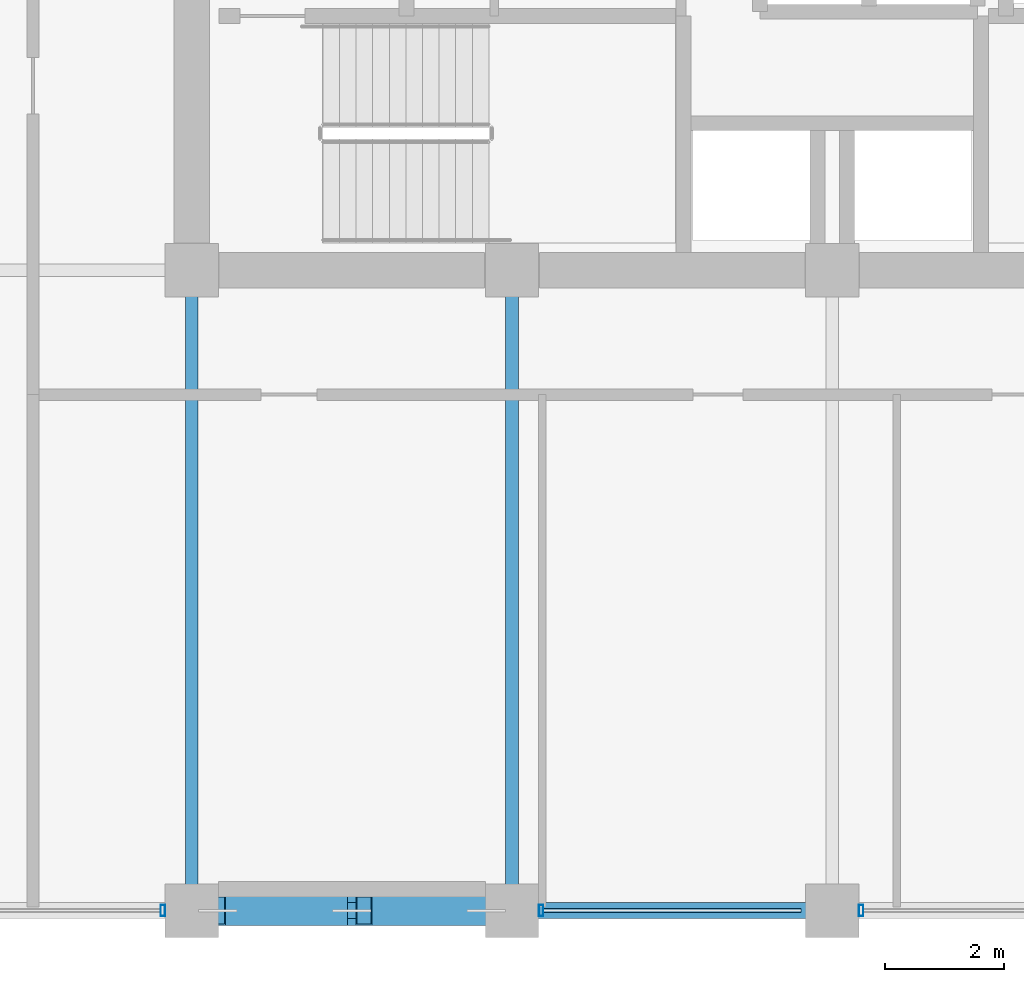
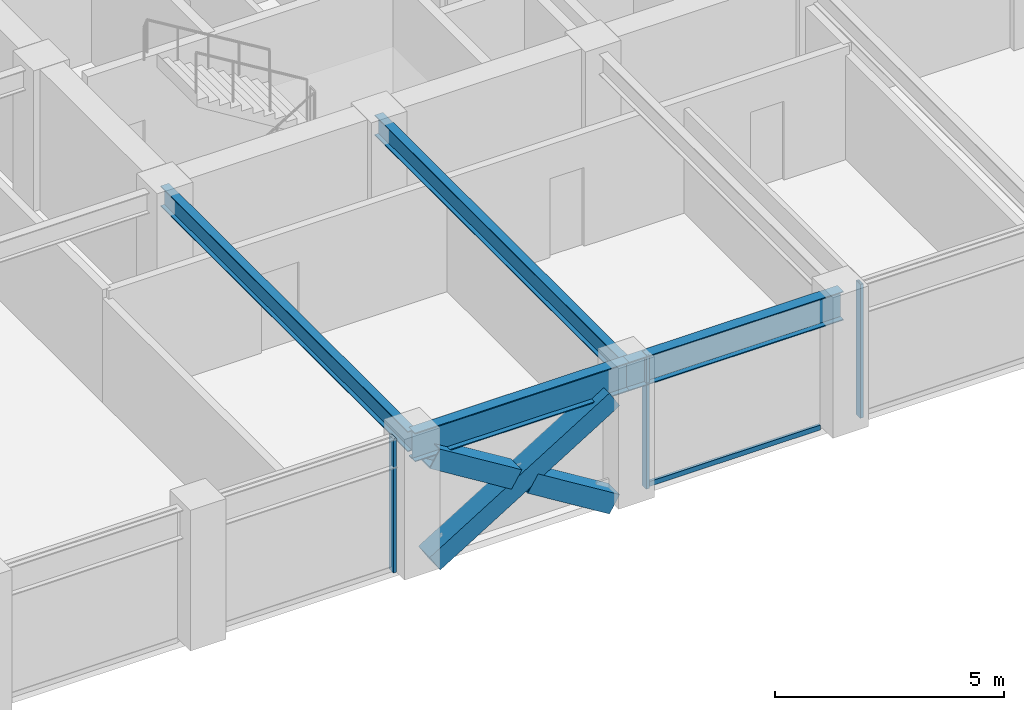
# One storey, part 6 of 32: 7 members, 4 beams, 2 elements without a shape of their own.
"""IFC4 building model written with IfcOpenShell, lengths in metres."""

from ifc_helpers import new_model, si_unit, direction, frame, origin, origin_2d, place, context, subcontext, project, spatial, hollow_rectangle, i_section, extrude, material, layer, layer_set, material_profile, profile_set, type_object, element, aggregate, save


model = new_model("IFC4")

# Units and contexts
model_context = context("Model", 3, precision=1e-05, world=origin(), true_north=direction((0.0, 1.0)))
body_context = subcontext(model_context, "Body", "Model", "MODEL_VIEW")
ifc_project = project(units=[si_unit("LENGTHUNIT", "METRE"), si_unit("AREAUNIT", "SQUARE_METRE"), si_unit("VOLUMEUNIT", "CUBIC_METRE"), si_unit("PLANEANGLEUNIT", "RADIAN"), si_unit("MASSUNIT", "GRAM", prefix="KILO")], contexts=[model_context])

# Site, building, storey
site_placement = place(None, origin())
site = spatial("IfcSite", under=ifc_project, at=site_placement, CompositionType="ELEMENT")
building_placement = place(site_placement, origin())
building = spatial("IfcBuilding", under=site, at=building_placement, Name="Surkhivell Harbour Commons", CompositionType="ELEMENT")
storey_placement = place(building_placement, frame((0.0, 0.0, 186.0)))
storey = spatial("IfcBuildingStorey", under=building, at=storey_placement, Name="L48", CompositionType="ELEMENT", Elevation=186.0)

# Beams
ifc_material_1 = material(Name="Steel S355", Category="steel")
ifc_material_profile_1 = material_profile(ifc_material_1, i_section(OverallWidth=0.2119140625, OverallDepth=0.5439453125, WebThickness=0.0126953125, FlangeThickness=0.021240234375, at=origin_2d()), Name="UB533x210x122")
ifc_profile_set_1 = profile_set([ifc_material_profile_1], Name="Steel S355")
beam_type_1 = type_object("IfcBeamType", Name="BM-GRD-533A", PredefinedType="BEAM", material=ifc_profile_set_1)
for number, where, z_axis, x_axis, name in (
    (1, (-10.800048828125, -21.60009765625, 3.298095703125), (0.0, 1.0, 0.0), (-1.0, 0.0, 0.0), "L48 Floor Girder (-10.8,-21.6)"),
    (2, (-5.39990234375, -21.60009765625, 3.298095703125), (0.0, 1.0, 0.0), (-1.0, 0.0, 0.0), "L48 Floor Girder (-5.4,-21.6)"),
):
    element("IfcBeam", number, at=place(storey_placement, frame(where, z_axis=z_axis, x_axis=x_axis)), inside=storey, type_object=beam_type_1, Name=name, PredefinedType="BEAM", context=body_context, shape_type="SweptSolid", body=[
        extrude(i_section(OverallWidth=0.2119140625, OverallDepth=0.5439453125, WebThickness=0.0126953125, FlangeThickness=0.021240234375, at=origin_2d()), origin(), (0.0, 0.0, 1.0), 10.800048828125),
    ])
ifc_material_profile_2 = material_profile(ifc_material_1, i_section(OverallWidth=0.26806640625, OverallDepth=0.77001953125, WebThickness=0.015625, FlangeThickness=0.025390625, at=origin_2d()), Name="UB762x267x197")
ifc_profile_set_2 = profile_set([ifc_material_profile_2], Name="Steel S355")
beam_type_2 = type_object("IfcBeamType", Name="BM-SPN-762", PredefinedType="SPANDREL", material=ifc_profile_set_2)
beam_1_placement = place(storey_placement, frame((-10.800048828125, -21.60009765625, 3.18505859375), z_axis=(1.0, 0.0, 0.0), x_axis=(0.0, 1.0, 0.0)))
element("IfcBeam", 3, at=beam_1_placement, inside=storey, type_object=beam_type_2, Name="L48 Tube Spandrel (-10.8,-21.6)", PredefinedType="SPANDREL", context=body_context, shape_type="SweptSolid", body=[
    extrude(i_section(OverallWidth=0.26806640625, OverallDepth=0.77001953125, WebThickness=0.015625, FlangeThickness=0.025390625, at=origin_2d()), origin(), (0.0, 0.0, 1.0), 5.400146484375),
])
beam_2_placement = place(storey_placement, frame((-5.39990234375, -21.60009765625, 3.18505859375), z_axis=(1.0, 0.0, 0.0), x_axis=(0.0, 1.0, 0.0)))
element("IfcBeam", 4, at=beam_2_placement, inside=storey, type_object=beam_type_2, Name="L48 Tube Spandrel (-5.4,-21.6)", PredefinedType="SPANDREL", context=body_context, shape_type="SweptSolid", body=[
    extrude(i_section(OverallWidth=0.26806640625, OverallDepth=0.77001953125, WebThickness=0.015625, FlangeThickness=0.025390625, at=origin_2d()), origin(), (0.0, 0.0, 1.0), 5.39990234375),
])

# Curtain wall, member
ifc_material_2 = material(Name="Anodised pale-metal aluminium and insulated glazing", Category="aluminium")
ifc_layer = layer(ifc_material_2, 0.18994140625)
ifc_layer_set = layer_set([ifc_layer], Name="Anodised pale-metal aluminium and insulated glazing")
curtain_wall_type = type_object("IfcCurtainWallType", Name="CW-SYS-Z3", PredefinedType="NOTDEFINED", material=ifc_layer_set)
curtain_wall_1_placement = place(storey_placement, origin())
curtain_wall_1 = element("IfcCurtainWall", 5, at=curtain_wall_1_placement, inside=storey, type_object=curtain_wall_type, Name="L48 Curtain Wall CW-L48-E00S1", PredefinedType="NOTDEFINED")
ifc_material_3 = material(Name="Anodised pale-metal aluminium alloy 6063-T6", Category="aluminium")
ifc_material_profile_3 = material_profile(ifc_material_3, hollow_rectangle(XDim=0.074951171875, YDim=0.18994140625, WallThickness=0.00390625, at=origin_2d()), Name="ALU-MULL-75x190")
ifc_profile_set_3 = profile_set([ifc_material_profile_3], Name="Anodised pale-metal aluminium alloy 6063-T6")
member_type_1 = type_object("IfcMemberType", Name="CWM-190", PredefinedType="MULLION", material=ifc_profile_set_3)
member_1_placement = place(storey_placement, frame((-11.28955078125, -21.60009765625, 0.0), z_axis=(0.0, 0.0, 1.0), x_axis=(1.0, 0.0, 0.0)))
member_1 = element("IfcMember", 6, at=member_1_placement, type_object=member_type_1, Name="CW-Z3 mullion 3", PredefinedType="MULLION", context=body_context, shape_type="SweptSolid", body=[
    extrude(hollow_rectangle(XDim=0.074951171875, YDim=0.18994140625, WallThickness=0.00390625, at=origin_2d()), origin(), (0.0, 0.0, 1.0), 3.570068359375),
])
aggregate(curtain_wall_1, [member_1])

# Curtain wall, members
curtain_wall_2_placement = place(storey_placement, origin())
curtain_wall_2 = element("IfcCurtainWall", 7, at=curtain_wall_2_placement, inside=storey, type_object=curtain_wall_type, Name="L48 Curtain Wall CW-L48-E00S2", PredefinedType="NOTDEFINED")
member_2_placement = place(storey_placement, frame((-4.910400390625, -21.60009765625, 0.0), z_axis=(0.0, 0.0, 1.0), x_axis=(1.0, 0.0, 0.0)))
member_2 = element("IfcMember", 8, at=member_2_placement, type_object=member_type_1, Name="CW-Z3 mullion 1", PredefinedType="MULLION", context=body_context, shape_type="SweptSolid", body=[
    extrude(hollow_rectangle(XDim=0.074951171875, YDim=0.18994140625, WallThickness=0.00390625, at=origin_2d()), origin(), (0.0, 0.0, 1.0), 3.570068359375),
])
member_3_placement = place(storey_placement, frame((0.489501953125, -21.60009765625, 0.0), z_axis=(0.0, 0.0, 1.0), x_axis=(1.0, 0.0, 0.0)))
member_3 = element("IfcMember", 9, at=member_3_placement, type_object=member_type_1, Name="CW-Z3 mullion 2", PredefinedType="MULLION", context=body_context, shape_type="SweptSolid", body=[
    extrude(hollow_rectangle(XDim=0.074951171875, YDim=0.18994140625, WallThickness=0.00390625, at=origin_2d()), origin(), (0.0, 0.0, 1.0), 3.570068359375),
])
ifc_material_4 = material(Name="Champagne anodised aluminium alloy 6063-T6", Category="aluminium")
ifc_material_profile_4 = material_profile(ifc_material_4, hollow_rectangle(XDim=0.070068359375, YDim=0.1298828125, WallThickness=0.00341796875, at=origin_2d()), Name="ALU-TRAN-70x130")
ifc_profile_set_4 = profile_set([ifc_material_profile_4], Name="Champagne anodised aluminium alloy 6063-T6")
member_type_2 = type_object("IfcMemberType", Name="CWT-130", PredefinedType="USERDEFINED", material=ifc_profile_set_4)
member_4_placement = place(storey_placement, frame((-4.873046875, -21.60009765625, 0.06494140625), z_axis=(1.0, 0.0, 0.0), x_axis=(0.0, 1.0, 0.0)))
member_4 = element("IfcMember", 10, at=member_4_placement, type_object=member_type_2, Name="CW-Z3 transom 1.1", ObjectType="TRANSOM", PredefinedType="USERDEFINED", context=body_context, shape_type="SweptSolid", body=[
    extrude(hollow_rectangle(XDim=0.070068359375, YDim=0.1298828125, WallThickness=0.00341796875, at=origin_2d()), origin(), (0.0, 0.0, 1.0), 4.345947265625),
])
aggregate(curtain_wall_2, [member_2, member_4, member_3])

# Members
ifc_material_5 = material(Name="Steel S460", Category="steel")
ifc_material_profile_5 = material_profile(ifc_material_5, hollow_rectangle(XDim=0.5, YDim=0.5, WallThickness=0.02490234375, at=origin_2d()), Name="SHS500x500x25")
ifc_profile_set_5 = profile_set([ifc_material_profile_5], Name="Steel S460")
member_type_3 = type_object("IfcMemberType", Name="MEM-BRC-SHS500", PredefinedType="BRACE", material=ifc_profile_set_5)
member_5_placement = place(storey_placement, frame((-10.364990234375, -21.60009765625, 0.008056640625), z_axis=(0.850971032488, 0.0, 0.525212625387), x_axis=(0.0, 1.0, 0.0)))
element("IfcMember", 11, at=member_5_placement, inside=storey, type_object=member_type_3, Name="L48 Perimeter Mega-Brace MB- 07", PredefinedType="BRACE", context=body_context, shape_type="SweptSolid", body=[
    extrude(hollow_rectangle(XDim=0.5, YDim=0.5, WallThickness=0.02490234375, at=origin_2d()), origin(), (0.0, 0.0, 1.0), 5.323486328125),
])
for number, where, z_axis, x_axis, name in (
    (12, (-5.8349609375, -21.60009765625, 0.008056640625), (-0.8510034189, 0.0, 0.525160147974), (0.0, -1.0, 0.0), "L48 Perimeter Mega-Brace MB- 08"),
    (13, (-8.30419921875, -21.60009765625, 1.531982421875), (-0.850958361341, 0.0, 0.525233155146), (0.0, -1.0, 0.0), "L48 Perimeter Mega-Brace MB- 09"),
):
    element("IfcMember", number, at=place(storey_placement, frame(where, z_axis=z_axis, x_axis=x_axis)), inside=storey, type_object=member_type_3, Name=name, PredefinedType="BRACE", context=body_context, shape_type="SweptSolid", body=[
        extrude(hollow_rectangle(XDim=0.5, YDim=0.5, WallThickness=0.02490234375, at=origin_2d()), origin(), (0.0, 0.0, 1.0), 2.421630859375),
    ])

save(model, "model.ifc")
